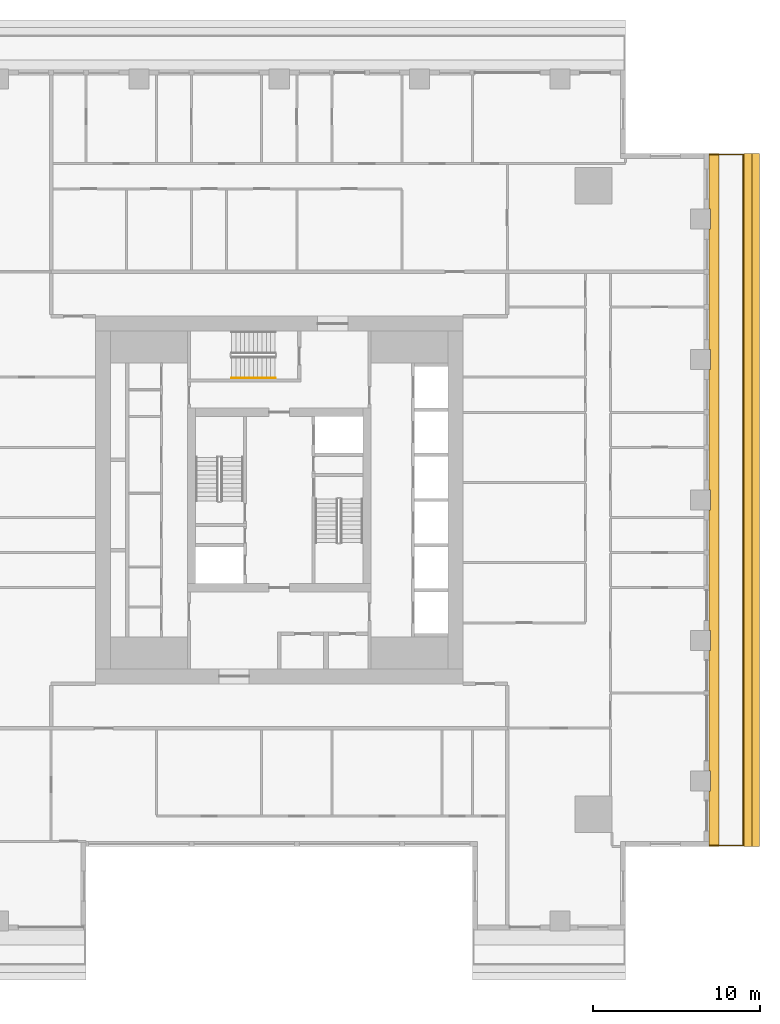
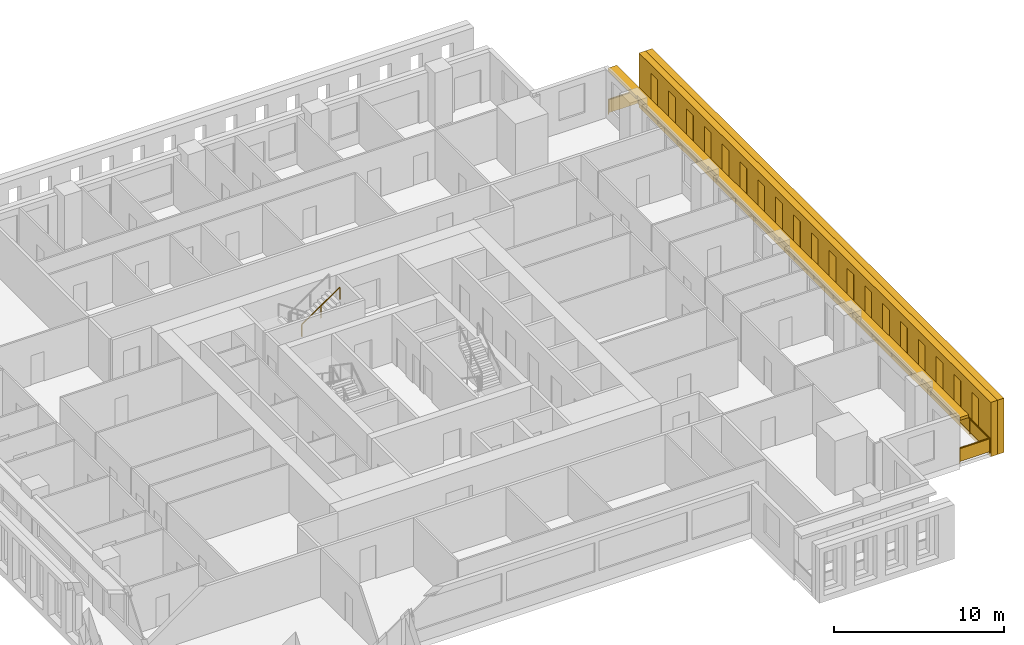
# One storey, part 12 of 14: 3 shading devices, 2 railings.
"""IFC4 building model written with IfcOpenShell, lengths in metres."""

from ifc_helpers import new_model, si_unit, direction, frame, origin, origin_2d, place, context, subcontext, project, spatial, polyline, rectangle, outline, extrude, material, layer, layer_set, type_object, element, save


model = new_model("IFC4")

# Units and contexts
model_context = context("Model", 3, precision=1e-05, world=origin(), true_north=direction((0.0, 1.0)))
body_context = subcontext(model_context, "Body", "Model", "MODEL_VIEW")
ifc_project = project(units=[si_unit("LENGTHUNIT", "METRE"), si_unit("AREAUNIT", "SQUARE_METRE"), si_unit("VOLUMEUNIT", "CUBIC_METRE"), si_unit("PLANEANGLEUNIT", "RADIAN"), si_unit("MASSUNIT", "GRAM", prefix="KILO")], contexts=[model_context])

# Site, building, storey
site_placement = place(None, origin())
site = spatial("IfcSite", under=ifc_project, at=site_placement, CompositionType="ELEMENT")
building_placement = place(site_placement, origin())
building = spatial("IfcBuilding", under=site, at=building_placement, Name="Khepri Terraces", CompositionType="ELEMENT")
storey_placement = place(building_placement, frame((0.0, 0.0, 275.699951171875)))
storey = spatial("IfcBuildingStorey", under=building, at=storey_placement, Name="L66", CompositionType="ELEMENT", Elevation=275.699951171875)

# Railings
ifc_material_1 = material(Name="Stainless steel grade 316", Category="steel")
railing_type_1 = type_object("IfcRailingType", Name="GRD-BAL-1100", PredefinedType="GUARDRAIL", material=ifc_material_1)
railing_1_placement = place(storey_placement, frame((25.719970703125, -20.669921875, 0.0)))
element("IfcRailing", 1, at=railing_1_placement, inside=storey, type_object=railing_type_1, Name="Balcony guard L66 E", PredefinedType="GUARDRAIL", context=body_context, shape_type="SweptSolid", body=[
    extrude(rectangle(XDim=0.050048828125, YDim=0.06005859375, at=origin_2d()), frame((0.0, 0.0, 1.070068359375), z_axis=(1.0, 0.0, 0.0), x_axis=(0.0, 1.0, 0.0)), (0.0, 0.0, 1.0), 2.050048828125),
    extrude(rectangle(XDim=2.0, YDim=0.011962890625, at=origin_2d()), frame((1.02490234375, 0.0, 0.10009765625), z_axis=(0.0, 0.0, 1.0), x_axis=(1.0, 0.0, 0.0)), (0.0, 0.0, 1.0), 0.93994140625),
    extrude(rectangle(XDim=0.050048828125, YDim=0.06005859375, at=origin_2d()), frame((2.050048828125, 0.0, 1.070068359375), z_axis=(0.0, 1.0, 0.0), x_axis=(-1.0, 0.0, 0.0)), (0.0, 0.0, 1.0), 41.33984375),
    extrude(rectangle(XDim=2.24658203125, YDim=0.011962890625, at=origin_2d()), frame((2.050048828125, 1.1484375, 0.10009765625), z_axis=(0.0, 0.0, 1.0), x_axis=(0.0, 1.0, 0.0)), (0.0, 0.0, 1.0), 0.93994140625),
    extrude(rectangle(XDim=2.24658203125, YDim=0.011962890625, at=origin_2d()), frame((2.050048828125, 3.445068359375, 0.10009765625), z_axis=(0.0, 0.0, 1.0), x_axis=(0.0, 1.0, 0.0)), (0.0, 0.0, 1.0), 0.93994140625),
    extrude(rectangle(XDim=2.24658203125, YDim=0.011962890625, at=origin_2d()), frame((2.050048828125, 5.74169921875, 0.10009765625), z_axis=(0.0, 0.0, 1.0), x_axis=(0.0, 1.0, 0.0)), (0.0, 0.0, 1.0), 0.93994140625),
    extrude(rectangle(XDim=2.24658203125, YDim=0.011962890625, at=origin_2d()), frame((2.050048828125, 8.038330078125, 0.10009765625), z_axis=(0.0, 0.0, 1.0), x_axis=(0.0, 1.0, 0.0)), (0.0, 0.0, 1.0), 0.93994140625),
    extrude(rectangle(XDim=2.24658203125, YDim=0.011962890625, at=origin_2d()), frame((2.050048828125, 10.3349609375, 0.10009765625), z_axis=(0.0, 0.0, 1.0), x_axis=(0.0, 1.0, 0.0)), (0.0, 0.0, 1.0), 0.93994140625),
    extrude(rectangle(XDim=2.24658203125, YDim=0.011962890625, at=origin_2d()), frame((2.050048828125, 12.631591796875, 0.10009765625), z_axis=(0.0, 0.0, 1.0), x_axis=(0.0, 1.0, 0.0)), (0.0, 0.0, 1.0), 0.93994140625),
    extrude(rectangle(XDim=2.24658203125, YDim=0.011962890625, at=origin_2d()), frame((2.050048828125, 14.92822265625, 0.10009765625), z_axis=(0.0, 0.0, 1.0), x_axis=(0.0, 1.0, 0.0)), (0.0, 0.0, 1.0), 0.93994140625),
    extrude(rectangle(XDim=2.24658203125, YDim=0.011962890625, at=origin_2d()), frame((2.050048828125, 17.224853515625, 0.10009765625), z_axis=(0.0, 0.0, 1.0), x_axis=(0.0, 1.0, 0.0)), (0.0, 0.0, 1.0), 0.93994140625),
    extrude(rectangle(XDim=2.24658203125, YDim=0.011962890625, at=origin_2d()), frame((2.050048828125, 19.521484375, 0.10009765625), z_axis=(0.0, 0.0, 1.0), x_axis=(0.0, 1.0, 0.0)), (0.0, 0.0, 1.0), 0.93994140625),
    extrude(rectangle(XDim=2.24658203125, YDim=0.011962890625, at=origin_2d()), frame((2.050048828125, 21.818359375, 0.10009765625), z_axis=(0.0, 0.0, 1.0), x_axis=(0.0, 1.0, 0.0)), (0.0, 0.0, 1.0), 0.93994140625),
    extrude(rectangle(XDim=2.24658203125, YDim=0.011962890625, at=origin_2d()), frame((2.050048828125, 24.114990234375, 0.10009765625), z_axis=(0.0, 0.0, 1.0), x_axis=(0.0, 1.0, 0.0)), (0.0, 0.0, 1.0), 0.93994140625),
    extrude(rectangle(XDim=2.24658203125, YDim=0.011962890625, at=origin_2d()), frame((2.050048828125, 26.41162109375, 0.10009765625), z_axis=(0.0, 0.0, 1.0), x_axis=(0.0, 1.0, 0.0)), (0.0, 0.0, 1.0), 0.93994140625),
    extrude(rectangle(XDim=2.24658203125, YDim=0.011962890625, at=origin_2d()), frame((2.050048828125, 28.708251953125, 0.10009765625), z_axis=(0.0, 0.0, 1.0), x_axis=(0.0, 1.0, 0.0)), (0.0, 0.0, 1.0), 0.93994140625),
    extrude(rectangle(XDim=2.24658203125, YDim=0.011962890625, at=origin_2d()), frame((2.050048828125, 31.0048828125, 0.10009765625), z_axis=(0.0, 0.0, 1.0), x_axis=(0.0, 1.0, 0.0)), (0.0, 0.0, 1.0), 0.93994140625),
    extrude(rectangle(XDim=2.24658203125, YDim=0.011962890625, at=origin_2d()), frame((2.050048828125, 33.301513671875, 0.10009765625), z_axis=(0.0, 0.0, 1.0), x_axis=(0.0, 1.0, 0.0)), (0.0, 0.0, 1.0), 0.93994140625),
    extrude(rectangle(XDim=2.24658203125, YDim=0.011962890625, at=origin_2d()), frame((2.050048828125, 35.59814453125, 0.10009765625), z_axis=(0.0, 0.0, 1.0), x_axis=(0.0, 1.0, 0.0)), (0.0, 0.0, 1.0), 0.93994140625),
    extrude(rectangle(XDim=2.24658203125, YDim=0.011962890625, at=origin_2d()), frame((2.050048828125, 37.894775390625, 0.10009765625), z_axis=(0.0, 0.0, 1.0), x_axis=(0.0, 1.0, 0.0)), (0.0, 0.0, 1.0), 0.93994140625),
    extrude(rectangle(XDim=2.24658203125, YDim=0.011962890625, at=origin_2d()), frame((2.050048828125, 40.19140625, 0.10009765625), z_axis=(0.0, 0.0, 1.0), x_axis=(0.0, 1.0, 0.0)), (0.0, 0.0, 1.0), 0.93994140625),
    extrude(rectangle(XDim=0.050048828125, YDim=0.06005859375, at=origin_2d()), frame((2.050048828125, 41.33984375, 1.070068359375), z_axis=(-1.0, 0.0, 0.0), x_axis=(0.0, -1.0, 0.0)), (0.0, 0.0, 1.0), 2.050048828125),
    extrude(rectangle(XDim=2.0, YDim=0.011962890625, at=origin_2d()), frame((1.02490234375, 41.33984375, 0.10009765625), z_axis=(0.0, 0.0, 1.0), x_axis=(-1.0, 0.0, 0.0)), (0.0, 0.0, 1.0), 0.93994140625),
    extrude(rectangle(XDim=0.050048828125, YDim=0.050048828125, at=origin_2d()), origin(), (0.0, 0.0, 1.0), 1.0400390625),
    extrude(rectangle(XDim=0.050048828125, YDim=0.050048828125, at=origin_2d()), frame((2.050048828125, 0.0, 0.0)), (0.0, 0.0, 1.0), 1.0400390625),
    extrude(rectangle(XDim=0.050048828125, YDim=0.050048828125, at=origin_2d()), frame((2.050048828125, 2.296630859375, 0.0)), (0.0, 0.0, 1.0), 1.0400390625),
    extrude(rectangle(XDim=0.050048828125, YDim=0.050048828125, at=origin_2d()), frame((2.050048828125, 4.59326171875, 0.0)), (0.0, 0.0, 1.0), 1.0400390625),
    extrude(rectangle(XDim=0.050048828125, YDim=0.050048828125, at=origin_2d()), frame((2.050048828125, 6.889892578125, 0.0)), (0.0, 0.0, 1.0), 1.0400390625),
    extrude(rectangle(XDim=0.050048828125, YDim=0.050048828125, at=origin_2d()), frame((2.050048828125, 9.1865234375, 0.0)), (0.0, 0.0, 1.0), 1.0400390625),
    extrude(rectangle(XDim=0.050048828125, YDim=0.050048828125, at=origin_2d()), frame((2.050048828125, 11.4833984375, 0.0)), (0.0, 0.0, 1.0), 1.0400390625),
    extrude(rectangle(XDim=0.050048828125, YDim=0.050048828125, at=origin_2d()), frame((2.050048828125, 13.780029296875, 0.0)), (0.0, 0.0, 1.0), 1.0400390625),
    extrude(rectangle(XDim=0.050048828125, YDim=0.050048828125, at=origin_2d()), frame((2.050048828125, 16.07666015625, 0.0)), (0.0, 0.0, 1.0), 1.0400390625),
    extrude(rectangle(XDim=0.050048828125, YDim=0.050048828125, at=origin_2d()), frame((2.050048828125, 18.373291015625, 0.0)), (0.0, 0.0, 1.0), 1.0400390625),
    extrude(rectangle(XDim=0.050048828125, YDim=0.050048828125, at=origin_2d()), frame((2.050048828125, 20.669921875, 0.0)), (0.0, 0.0, 1.0), 1.0400390625),
    extrude(rectangle(XDim=0.050048828125, YDim=0.050048828125, at=origin_2d()), frame((2.050048828125, 22.966552734375, 0.0)), (0.0, 0.0, 1.0), 1.0400390625),
    extrude(rectangle(XDim=0.050048828125, YDim=0.050048828125, at=origin_2d()), frame((2.050048828125, 25.26318359375, 0.0)), (0.0, 0.0, 1.0), 1.0400390625),
    extrude(rectangle(XDim=0.050048828125, YDim=0.050048828125, at=origin_2d()), frame((2.050048828125, 27.559814453125, 0.0)), (0.0, 0.0, 1.0), 1.0400390625),
    extrude(rectangle(XDim=0.050048828125, YDim=0.050048828125, at=origin_2d()), frame((2.050048828125, 29.8564453125, 0.0)), (0.0, 0.0, 1.0), 1.0400390625),
    extrude(rectangle(XDim=0.050048828125, YDim=0.050048828125, at=origin_2d()), frame((2.050048828125, 32.1533203125, 0.0)), (0.0, 0.0, 1.0), 1.0400390625),
    extrude(rectangle(XDim=0.050048828125, YDim=0.050048828125, at=origin_2d()), frame((2.050048828125, 34.449951171875, 0.0)), (0.0, 0.0, 1.0), 1.0400390625),
    extrude(rectangle(XDim=0.050048828125, YDim=0.050048828125, at=origin_2d()), frame((2.050048828125, 36.74658203125, 0.0)), (0.0, 0.0, 1.0), 1.0400390625),
    extrude(rectangle(XDim=0.050048828125, YDim=0.050048828125, at=origin_2d()), frame((2.050048828125, 39.043212890625, 0.0)), (0.0, 0.0, 1.0), 1.0400390625),
    extrude(rectangle(XDim=0.050048828125, YDim=0.050048828125, at=origin_2d()), frame((2.050048828125, 41.33984375, 0.0)), (0.0, 0.0, 1.0), 1.0400390625),
    extrude(rectangle(XDim=0.050048828125, YDim=0.050048828125, at=origin_2d()), frame((0.0, 41.33984375, 0.0)), (0.0, 0.0, 1.0), 1.0400390625),
])
ifc_material_2 = material(Name="Stainless steel 316", Category="steel")
railing_type_2 = type_object("IfcRailingType", Name="RL-CORE-HANDRAIL", PredefinedType="HANDRAIL", material=ifc_material_2)
railing_2_placement = place(storey_placement, frame((-2.85009765625, 7.300048828125, 2.12744140625)))
element("IfcRailing", 2, at=railing_2_placement, inside=storey, type_object=railing_type_2, Name="L66 ST-3 stair handrail 2", PredefinedType="HANDRAIL", context=body_context, shape_type="SweptSolid", body=[
    extrude(rectangle(XDim=0.050048828125, YDim=0.050048828125, at=origin_2d()), frame((0.0, 0.0, 0.875), z_axis=(0.826240473404, 0.0, 0.563317565952), x_axis=(0.0, 1.0, 0.0)), (0.0, 0.0, 1.0), 3.14697265625),
    extrude(rectangle(XDim=0.050048828125, YDim=0.050048828125, at=origin_2d()), origin(), (0.0, 0.0, 1.0), 0.849853515625),
    extrude(rectangle(XDim=0.050048828125, YDim=0.050048828125, at=origin_2d()), frame((1.300048828125, 0.0, 0.88623046875)), (0.0, 0.0, 1.0), 0.849853515625),
    extrude(rectangle(XDim=0.050048828125, YDim=0.050048828125, at=origin_2d()), frame((2.60009765625, 0.0, 1.772705078125)), (0.0, 0.0, 1.0), 0.849853515625),
])

# Shading devices
ifc_material_3 = material(Name="Precast concrete C50/60 warm stone", Category="masonry")
shading_device_type_1 = type_object("IfcShadingDeviceType", Name="SCR-CELL-INNER-450", PredefinedType="USERDEFINED", material=ifc_material_3)
shading_device_1_placement = place(storey_placement, frame((27.820068359375, -20.719970703125, -0.25), z_axis=(1.0, 0.0, 0.0), x_axis=(0.0, 1.0, 0.0)))
element("IfcShadingDevice", 3, at=shading_device_1_placement, inside=storey, type_object=shading_device_type_1, Name="Cell screen L66 E in", ObjectType="SCREEN", PredefinedType="USERDEFINED", context=body_context, shape_type="SweptSolid", body=[
    extrude(outline(polyline([(0.0, 0.0), (41.43994140625, 0.0), (41.43994140625, 3.89990234375), (0.0, 3.89990234375), (0.0, 0.0)]), holes=[polyline([(1.41845703125, 0.699951171875), (2.2216796875, 0.699951171875), (2.2216796875, 3.300048828125), (1.41845703125, 3.300048828125), (1.41845703125, 0.699951171875)]), polyline([(3.518310546875, 0.699951171875), (4.321533203125, 0.699951171875), (4.321533203125, 3.300048828125), (3.518310546875, 3.300048828125), (3.518310546875, 0.699951171875)]), polyline([(5.618408203125, 0.699951171875), (6.421630859375, 0.699951171875), (6.421630859375, 3.300048828125), (5.618408203125, 3.300048828125), (5.618408203125, 0.699951171875)]), polyline([(7.718505859375, 0.699951171875), (8.521484375, 0.699951171875), (8.521484375, 3.300048828125), (7.718505859375, 3.300048828125), (7.718505859375, 0.699951171875)]), polyline([(9.818359375, 0.699951171875), (10.62158203125, 0.699951171875), (10.62158203125, 3.300048828125), (9.818359375, 3.300048828125), (9.818359375, 0.699951171875)]), polyline([(11.91845703125, 0.699951171875), (12.7216796875, 0.699951171875), (12.7216796875, 3.300048828125), (11.91845703125, 3.300048828125), (11.91845703125, 0.699951171875)]), polyline([(14.018310546875, 0.699951171875), (14.821533203125, 0.699951171875), (14.821533203125, 3.300048828125), (14.018310546875, 3.300048828125), (14.018310546875, 0.699951171875)]), polyline([(16.118408203125, 0.699951171875), (16.921630859375, 0.699951171875), (16.921630859375, 3.300048828125), (16.118408203125, 3.300048828125), (16.118408203125, 0.699951171875)]), polyline([(18.218505859375, 0.699951171875), (19.021484375, 0.699951171875), (19.021484375, 3.300048828125), (18.218505859375, 3.300048828125), (18.218505859375, 0.699951171875)]), polyline([(20.318359375, 0.699951171875), (21.12158203125, 0.699951171875), (21.12158203125, 3.300048828125), (20.318359375, 3.300048828125), (20.318359375, 0.699951171875)]), polyline([(22.41845703125, 0.699951171875), (23.2216796875, 0.699951171875), (23.2216796875, 3.300048828125), (22.41845703125, 3.300048828125), (22.41845703125, 0.699951171875)]), polyline([(24.518310546875, 0.699951171875), (25.321533203125, 0.699951171875), (25.321533203125, 3.300048828125), (24.518310546875, 3.300048828125), (24.518310546875, 0.699951171875)]), polyline([(26.618408203125, 0.699951171875), (27.421630859375, 0.699951171875), (27.421630859375, 3.300048828125), (26.618408203125, 3.300048828125), (26.618408203125, 0.699951171875)]), polyline([(28.718505859375, 0.699951171875), (29.521484375, 0.699951171875), (29.521484375, 3.300048828125), (28.718505859375, 3.300048828125), (28.718505859375, 0.699951171875)]), polyline([(30.818359375, 0.699951171875), (31.62158203125, 0.699951171875), (31.62158203125, 3.300048828125), (30.818359375, 3.300048828125), (30.818359375, 0.699951171875)]), polyline([(32.91845703125, 0.699951171875), (33.7216796875, 0.699951171875), (33.7216796875, 3.300048828125), (32.91845703125, 3.300048828125), (32.91845703125, 0.699951171875)]), polyline([(35.018310546875, 0.699951171875), (35.821533203125, 0.699951171875), (35.821533203125, 3.300048828125), (35.018310546875, 3.300048828125), (35.018310546875, 0.699951171875)]), polyline([(37.118408203125, 0.699951171875), (37.921630859375, 0.699951171875), (37.921630859375, 3.300048828125), (37.118408203125, 3.300048828125), (37.118408203125, 0.699951171875)]), polyline([(39.218505859375, 0.699951171875), (40.021484375, 0.699951171875), (40.021484375, 3.300048828125), (39.218505859375, 3.300048828125), (39.218505859375, 0.699951171875)])]), origin(), (0.0, 0.0, 1.0), 0.449951171875),
])
shading_device_type_2 = type_object("IfcShadingDeviceType", Name="SCR-CELL-OUTER-450", PredefinedType="USERDEFINED", material=ifc_material_3)
shading_device_2_placement = place(storey_placement, frame((28.27001953125, -20.719970703125, -0.25), z_axis=(1.0, 0.0, 0.0), x_axis=(0.0, 1.0, 0.0)))
element("IfcShadingDevice", 4, at=shading_device_2_placement, inside=storey, type_object=shading_device_type_2, Name="Cell screen L66 E out", ObjectType="SCREEN", PredefinedType="USERDEFINED", context=body_context, shape_type="SweptSolid", body=[
    extrude(outline(polyline([(0.0, 0.0), (41.43994140625, 0.0), (41.43994140625, 3.89990234375), (0.0, 3.89990234375), (0.0, 0.0)]), holes=[polyline([(1.068359375, 0.449951171875), (2.571533203125, 0.449951171875), (2.571533203125, 3.550048828125), (1.068359375, 3.550048828125), (1.068359375, 0.449951171875)]), polyline([(3.16845703125, 0.449951171875), (4.671630859375, 0.449951171875), (4.671630859375, 3.550048828125), (3.16845703125, 3.550048828125), (3.16845703125, 0.449951171875)]), polyline([(5.268310546875, 0.449951171875), (6.771484375, 0.449951171875), (6.771484375, 3.550048828125), (5.268310546875, 3.550048828125), (5.268310546875, 0.449951171875)]), polyline([(7.368408203125, 0.449951171875), (8.87158203125, 0.449951171875), (8.87158203125, 3.550048828125), (7.368408203125, 3.550048828125), (7.368408203125, 0.449951171875)]), polyline([(9.468505859375, 0.449951171875), (10.9716796875, 0.449951171875), (10.9716796875, 3.550048828125), (9.468505859375, 3.550048828125), (9.468505859375, 0.449951171875)]), polyline([(11.568359375, 0.449951171875), (13.071533203125, 0.449951171875), (13.071533203125, 3.550048828125), (11.568359375, 3.550048828125), (11.568359375, 0.449951171875)]), polyline([(13.66845703125, 0.449951171875), (15.171630859375, 0.449951171875), (15.171630859375, 3.550048828125), (13.66845703125, 3.550048828125), (13.66845703125, 0.449951171875)]), polyline([(15.768310546875, 0.449951171875), (17.271484375, 0.449951171875), (17.271484375, 3.550048828125), (15.768310546875, 3.550048828125), (15.768310546875, 0.449951171875)]), polyline([(17.868408203125, 0.449951171875), (19.37158203125, 0.449951171875), (19.37158203125, 3.550048828125), (17.868408203125, 3.550048828125), (17.868408203125, 0.449951171875)]), polyline([(19.968505859375, 0.449951171875), (21.4716796875, 0.449951171875), (21.4716796875, 3.550048828125), (19.968505859375, 3.550048828125), (19.968505859375, 0.449951171875)]), polyline([(22.068359375, 0.449951171875), (23.571533203125, 0.449951171875), (23.571533203125, 3.550048828125), (22.068359375, 3.550048828125), (22.068359375, 0.449951171875)]), polyline([(24.16845703125, 0.449951171875), (25.671630859375, 0.449951171875), (25.671630859375, 3.550048828125), (24.16845703125, 3.550048828125), (24.16845703125, 0.449951171875)]), polyline([(26.268310546875, 0.449951171875), (27.771484375, 0.449951171875), (27.771484375, 3.550048828125), (26.268310546875, 3.550048828125), (26.268310546875, 0.449951171875)]), polyline([(28.368408203125, 0.449951171875), (29.87158203125, 0.449951171875), (29.87158203125, 3.550048828125), (28.368408203125, 3.550048828125), (28.368408203125, 0.449951171875)]), polyline([(30.468505859375, 0.449951171875), (31.9716796875, 0.449951171875), (31.9716796875, 3.550048828125), (30.468505859375, 3.550048828125), (30.468505859375, 0.449951171875)]), polyline([(32.568359375, 0.449951171875), (34.071533203125, 0.449951171875), (34.071533203125, 3.550048828125), (32.568359375, 3.550048828125), (32.568359375, 0.449951171875)]), polyline([(34.66845703125, 0.449951171875), (36.171630859375, 0.449951171875), (36.171630859375, 3.550048828125), (34.66845703125, 3.550048828125), (34.66845703125, 0.449951171875)]), polyline([(36.768310546875, 0.449951171875), (38.271484375, 0.449951171875), (38.271484375, 3.550048828125), (36.768310546875, 3.550048828125), (36.768310546875, 0.449951171875)]), polyline([(38.868408203125, 0.449951171875), (40.37158203125, 0.449951171875), (40.37158203125, 3.550048828125), (38.868408203125, 3.550048828125), (38.868408203125, 0.449951171875)])]), origin(), (0.0, 0.0, 1.0), 0.449951171875),
])
ifc_layer = layer(ifc_material_3, 0.199951171875, Name="Precast concrete C50/60 warm stone", Category="masonry")
ifc_layer_set = layer_set([ifc_layer], Name="Precast concrete C50/60 warm stone")
shading_device_type_3 = type_object("IfcShadingDeviceType", Name="SSH-BAND-STONE-200-N", PredefinedType="USERDEFINED", material=ifc_layer_set)
shading_device_3_placement = place(storey_placement, frame((0.0, 0.0, 3.10009765625)))
element("IfcShadingDevice", 5, at=shading_device_3_placement, inside=storey, type_object=shading_device_type_3, Name="Sunshade band L66 E", ObjectType="SUNSHADE", PredefinedType="USERDEFINED", context=body_context, shape_type="SweptSolid", body=[
    extrude(outline(polyline([(25.719970703125, -17.39990234375), (25.719970703125, -20.719970703125), (26.320068359375, -20.719970703125), (26.320068359375, 20.719970703125), (25.719970703125, 20.719970703125), (25.719970703125, 17.39990234375), (25.800048828125, 17.39990234375), (25.800048828125, 16.199951171875), (25.719970703125, 16.199951171875), (25.719970703125, 9.0), (25.800048828125, 9.0), (25.800048828125, 7.800048828125), (25.719970703125, 7.800048828125), (25.719970703125, 0.60009765625), (25.800048828125, 0.60009765625), (25.800048828125, -0.60009765625), (25.719970703125, -0.60009765625), (25.719970703125, -7.800048828125), (25.800048828125, -7.800048828125), (25.800048828125, -9.0), (25.719970703125, -9.0), (25.719970703125, -16.199951171875), (25.800048828125, -16.199951171875), (25.800048828125, -17.39990234375), (25.719970703125, -17.39990234375)])), origin(), (0.0, 0.0, 1.0), 0.199951171875),
])

save(model, "model.ifc")
